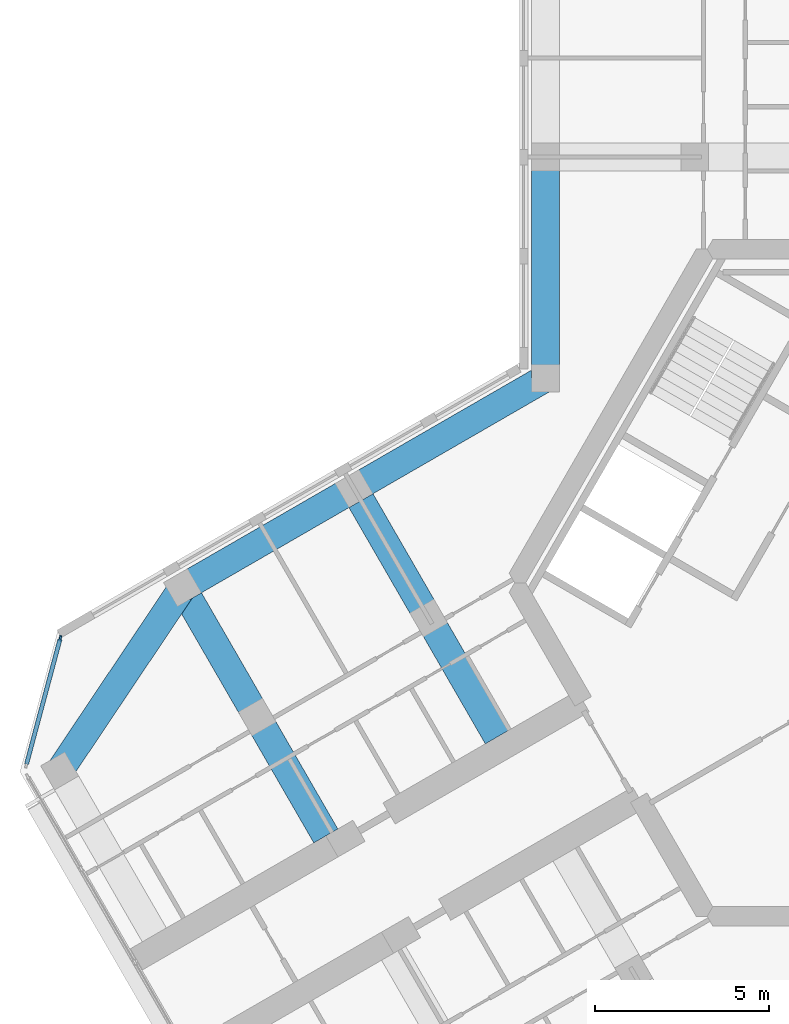
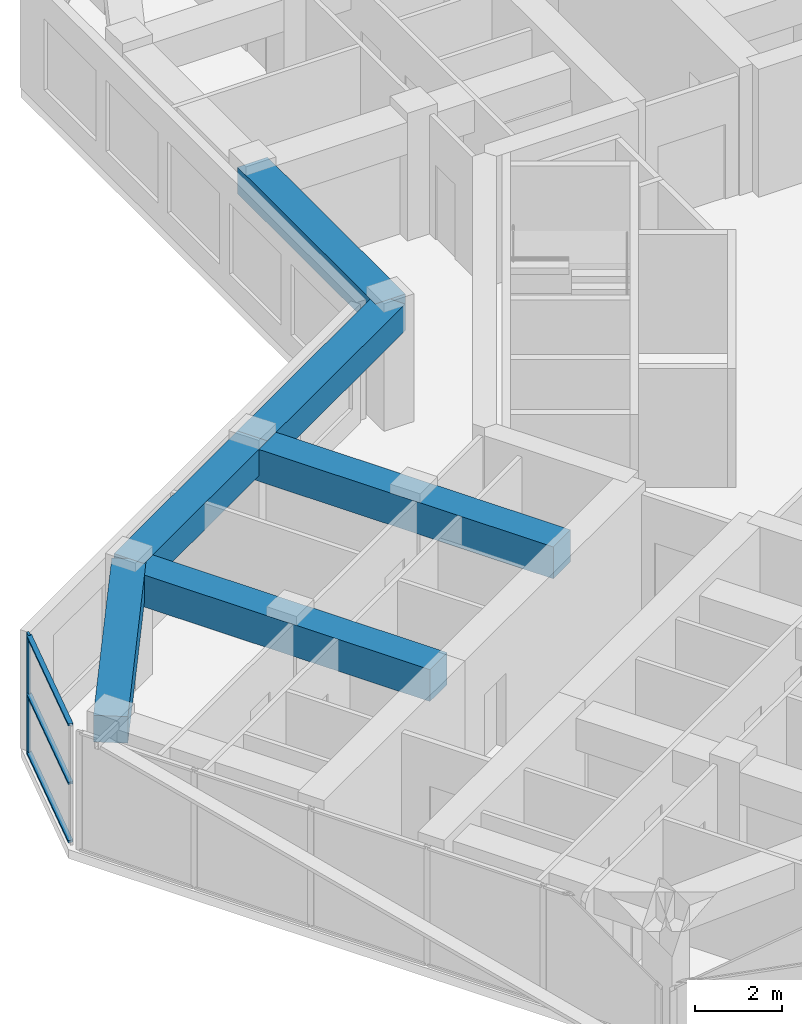
# One storey, part 3 of 14: 6 beams, 4 members, 1 element without a shape of its own.
"""IFC4 building model written with IfcOpenShell, lengths in metres."""

from ifc_helpers import new_model, si_unit, direction, frame, origin, origin_2d, place, context, subcontext, project, spatial, rectangle, extrude, material, material_profile, profile_set, type_object, element, aggregate, save


model = new_model("IFC4")

# Units and contexts
model_context = context("Model", 3, precision=1e-05, world=origin(), true_north=direction((0.0, 1.0)))
body_context = subcontext(model_context, "Body", "Model", "MODEL_VIEW")
ifc_project = project(units=[si_unit("LENGTHUNIT", "METRE"), si_unit("AREAUNIT", "SQUARE_METRE"), si_unit("VOLUMEUNIT", "CUBIC_METRE"), si_unit("PLANEANGLEUNIT", "RADIAN"), si_unit("MASSUNIT", "GRAM", prefix="KILO")], contexts=[model_context])

# Site, building, storey
site_placement = place(None, origin())
site = spatial("IfcSite", under=ifc_project, at=site_placement, CompositionType="ELEMENT")
building_placement = place(site_placement, origin())
building = spatial("IfcBuilding", under=site, at=building_placement, Name="Kosmar Iwan School Tower", CompositionType="ELEMENT")
storey_placement = place(building_placement, frame((0.0, 0.0, 274.60009765625)))
storey = spatial("IfcBuildingStorey", under=building, at=storey_placement, Name="L69", CompositionType="ELEMENT", Elevation=274.60009765625)

# Curtain wall, member
ifc_material_1 = material(Name="Dark glass in black aluminium frame", Category="aluminium")
curtain_wall_type = type_object("IfcCurtainWallType", Name="Chamfer curtain wall dark glass", PredefinedType="USERDEFINED", material=ifc_material_1)
curtain_wall_placement = place(storey_placement, origin())
curtain_wall = element("IfcCurtainWall", 1, at=curtain_wall_placement, inside=storey, type_object=curtain_wall_type, Name="Curtain wall L69-F12", ObjectType="FACETED CURTAIN WALL", PredefinedType="USERDEFINED")
ifc_material_2 = material(Name="Black anodised aluminium", Category="aluminium")
ifc_material_profile_1 = material_profile(ifc_material_2, rectangle(XDim=0.06005859375, YDim=0.159912109375, at=origin_2d()), Name="MULLION 60x160")
ifc_profile_set_1 = profile_set([ifc_material_profile_1], Name="Black anodised aluminium")
member_type_1 = type_object("IfcMemberType", Name="Mullion 60x160", PredefinedType="MULLION", material=ifc_profile_set_1)
member_1_placement = place(storey_placement, frame((-24.163818359375, -1.59814453125, 0.0), z_axis=(0.0, 0.0, 1.0), x_axis=(0.965925875495, -0.258818861462, 0.0)))
member_1 = element("IfcMember", 2, at=member_1_placement, type_object=member_type_1, Name="CW2 mullion 1", PredefinedType="MULLION", context=body_context, shape_type="SweptSolid", body=[
    extrude(rectangle(XDim=0.06005859375, YDim=0.159912109375, at=origin_2d()), origin(), (0.0, 0.0, 1.0), 3.349853515625),
])

# Beams
ifc_material_3 = material(Name="Concrete C50/60", Category="concrete")
ifc_material_profile_2 = material_profile(ifc_material_3, rectangle(XDim=0.800048828125, YDim=0.75, at=origin_2d()), Name="RC 800x750")
ifc_profile_set_2 = profile_set([ifc_material_profile_2], Name="Concrete C50/60")
beam_type_1 = type_object("IfcBeamType", Name="RC edge beam 800x750", PredefinedType="BEAM", material=ifc_profile_set_2)
beam_1_placement = place(storey_placement, frame((-10.199951171875, 5.888916015625, 2.974853515625), z_axis=(0.0, 1.0, 0.0), x_axis=(-1.0, 0.0, 0.0)))
element("IfcBeam", 3, at=beam_1_placement, inside=storey, type_object=beam_type_1, Name="Edge beam AL1", PredefinedType="BEAM", context=body_context, shape_type="SweptSolid", body=[
    extrude(rectangle(XDim=0.800048828125, YDim=0.75, at=origin_2d()), origin(), (0.0, 0.0, 1.0), 6.361083984375),
])
beam_2_placement = place(storey_placement, frame((-10.199951171875, 5.888916015625, 2.974853515625), z_axis=(-0.866030912664, -0.49999045822, 0.0), x_axis=(0.49999045822, -0.866030912664, 0.0)))
element("IfcBeam", 4, at=beam_2_placement, inside=storey, type_object=beam_type_1, Name="Edge beam BR1", PredefinedType="BEAM", context=body_context, shape_type="SweptSolid", body=[
    extrude(rectangle(XDim=0.800048828125, YDim=0.75, at=origin_2d()), origin(), (0.0, 0.0, 1.0), 6.36083984375),
])
beam_3_placement = place(storey_placement, frame((-15.708740234375, 2.70849609375, 2.974853515625), z_axis=(-0.866025820012, -0.499999279071, 0.0), x_axis=(0.499999279071, -0.866025820012, 0.0)))
element("IfcBeam", 5, at=beam_3_placement, inside=storey, type_object=beam_type_1, Name="Edge beam BR2", PredefinedType="BEAM", context=body_context, shape_type="SweptSolid", body=[
    extrude(rectangle(XDim=0.800048828125, YDim=0.75, at=origin_2d()), origin(), (0.0, 0.0, 1.0), 5.7001953125),
])
ifc_material_4 = material(Name="Concrete C50/60", Category="concrete")
ifc_material_profile_3 = material_profile(ifc_material_4, rectangle(XDim=0.800048828125, YDim=0.75, at=origin_2d()), Name="RC 800x750")
ifc_profile_set_3 = profile_set([ifc_material_profile_3], Name="Concrete C50/60")
beam_type_2 = type_object("IfcBeamType", Name="RC tip beam 800x750", PredefinedType="BEAM", material=ifc_profile_set_3)
beam_4_placement = place(storey_placement, frame((-20.645263671875, -0.1416015625, 2.974853515625), z_axis=(-0.556827604145, -0.83062808721, 0.0), x_axis=(0.83062808721, -0.556827604145, 0.0)))
element("IfcBeam", 6, at=beam_4_placement, inside=storey, type_object=beam_type_2, Name="Tip beam BR", PredefinedType="BEAM", context=body_context, shape_type="SweptSolid", body=[
    extrude(rectangle(XDim=0.800048828125, YDim=0.75, at=origin_2d()), origin(), (0.0, 0.0, 1.0), 6.3505859375),
])
ifc_material_5 = material(Name="Concrete C50/60", Category="concrete")
ifc_material_profile_4 = material_profile(ifc_material_5, rectangle(XDim=0.800048828125, YDim=0.89990234375, at=origin_2d()), Name="RC 800x900")
ifc_profile_set_4 = profile_set([ifc_material_profile_4], Name="Concrete C50/60")
beam_type_3 = type_object("IfcBeamType", Name="RC transverse beam 800x900", PredefinedType="BEAM", material=ifc_profile_set_4)
beam_5_placement = place(storey_placement, frame((-15.708740234375, 2.70849609375, 2.89990234375), z_axis=(0.499996545922, -0.866027397988, 0.0), x_axis=(0.866027397988, 0.499996545922, 0.0)))
element("IfcBeam", 7, at=beam_5_placement, inside=storey, type_object=beam_type_3, Name="Transverse beam BR1", PredefinedType="BEAM", context=body_context, shape_type="SweptSolid", body=[
    extrude(rectangle(XDim=0.800048828125, YDim=0.89990234375, at=origin_2d()), origin(), (0.0, 0.0, 1.0), 8.25),
])
beam_6_placement = place(storey_placement, frame((-20.645263671875, -0.1416015625, 2.89990234375), z_axis=(0.500009360108, -0.866019999656, 0.0), x_axis=(0.866019999656, 0.500009360108, 0.0)))
element("IfcBeam", 8, at=beam_6_placement, inside=storey, type_object=beam_type_3, Name="Transverse beam BR2", PredefinedType="BEAM", context=body_context, shape_type="SweptSolid", body=[
    extrude(rectangle(XDim=0.800048828125, YDim=0.89990234375, at=origin_2d()), origin(), (0.0, 0.0, 1.0), 8.249755859375),
])

# Member
ifc_material_6 = material(Name="Black anodised aluminium", Category="aluminium")
ifc_material_profile_5 = material_profile(ifc_material_6, rectangle(XDim=0.1201171875, YDim=0.06005859375, at=origin_2d()), Name="TRANSOM 60x120")
ifc_profile_set_5 = profile_set([ifc_material_profile_5], Name="Black anodised aluminium")
member_type_2 = type_object("IfcMemberType", Name="Transom 60x120", PredefinedType="USERDEFINED", material=ifc_profile_set_5)
member_2_placement = place(storey_placement, frame((-24.17138671875, -1.627197265625, 0.02978515625), z_axis=(-0.258843273983, -0.965919333854, 0.0), x_axis=(0.965919333854, -0.258843273983, 0.0)))
member_2 = element("IfcMember", 9, at=member_2_placement, type_object=member_type_2, Name="CW2 transom 1.1", ObjectType="TRANSOM", PredefinedType="USERDEFINED", context=body_context, shape_type="SweptSolid", body=[
    extrude(rectangle(XDim=0.1201171875, YDim=0.06005859375, at=origin_2d()), origin(), (0.0, 0.0, 1.0), 3.718994140625),
])

member_3_placement = place(storey_placement, frame((-24.17138671875, -1.627197265625, 1.6748046875), z_axis=(-0.258843273983, -0.965919333854, 0.0), x_axis=(0.965919333854, -0.258843273983, 0.0)))
member_3 = element("IfcMember", 10, at=member_3_placement, type_object=member_type_2, Name="CW2 transom 1.2", ObjectType="TRANSOM", PredefinedType="USERDEFINED", context=body_context, shape_type="SweptSolid", body=[
    extrude(rectangle(XDim=0.1201171875, YDim=0.06005859375, at=origin_2d()), origin(), (0.0, 0.0, 1.0), 3.718994140625),
])

member_4_placement = place(storey_placement, frame((-24.17138671875, -1.627197265625, 3.31982421875), z_axis=(-0.258843273983, -0.965919333854, 0.0), x_axis=(0.965919333854, -0.258843273983, 0.0)))
member_4 = element("IfcMember", 11, at=member_4_placement, type_object=member_type_2, Name="CW2 transom 1.3", ObjectType="TRANSOM", PredefinedType="USERDEFINED", context=body_context, shape_type="SweptSolid", body=[
    extrude(rectangle(XDim=0.1201171875, YDim=0.06005859375, at=origin_2d()), origin(), (0.0, 0.0, 1.0), 3.718994140625),
])

aggregate(curtain_wall, [member_1, member_2, member_3, member_4])

save(model, "model.ifc")
